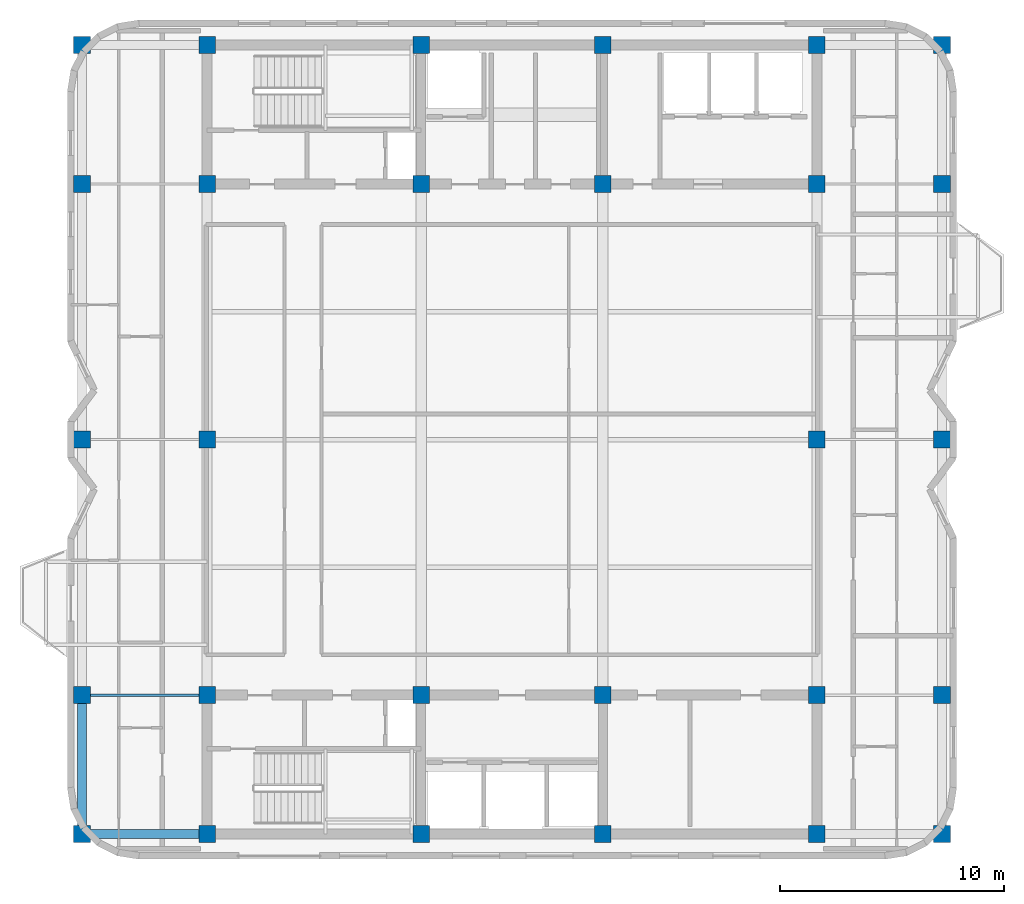
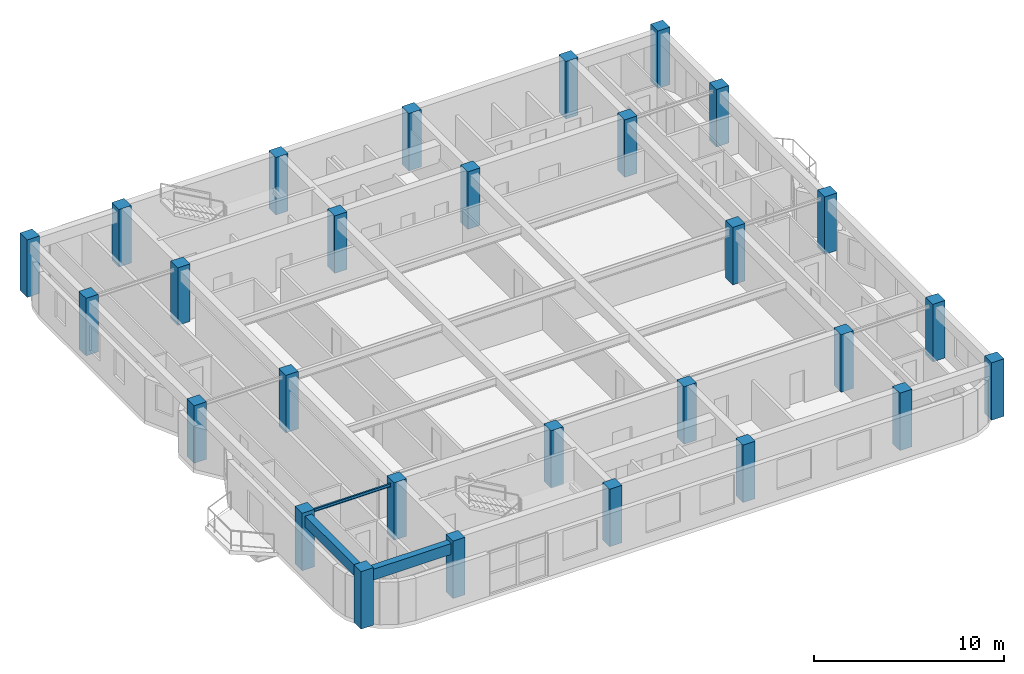
# One storey, part 1 of 11: 28 columns, 3 beams.
"""IFC4 building model written with IfcOpenShell, lengths in metres."""

from ifc_helpers import new_model, si_unit, direction, frame, origin, origin_2d, place, context, subcontext, project, spatial, rectangle, i_section, extrude, material, material_profile, profile_set, type_object, element, save


model = new_model("IFC4")

# Units and contexts
model_context = context("Model", 3, precision=1e-05, world=origin(), true_north=direction((0.0, 1.0)))
body_context = subcontext(model_context, "Body", "Model", "MODEL_VIEW")
ifc_project = project(units=[si_unit("LENGTHUNIT", "METRE"), si_unit("AREAUNIT", "SQUARE_METRE"), si_unit("VOLUMEUNIT", "CUBIC_METRE"), si_unit("PLANEANGLEUNIT", "RADIAN"), si_unit("MASSUNIT", "GRAM", prefix="KILO")], contexts=[model_context])

# Site, building, storey
site_placement = place(None, origin())
site = spatial("IfcSite", under=ifc_project, at=site_placement, CompositionType="ELEMENT")
building_placement = place(site_placement, origin())
building = spatial("IfcBuilding", under=site, at=building_placement, Name="Svetorya Sky Lyceum", CompositionType="ELEMENT")
storey_placement = place(building_placement, frame((0.0, 0.0, 275.0)))
storey = spatial("IfcBuildingStorey", under=building, at=storey_placement, Name="L69", CompositionType="ELEMENT", Elevation=275.0)

# Columns
ifc_material_1 = material(Name="Concrete C40/50", Category="concrete")
ifc_material_profile_1 = material_profile(ifc_material_1, rectangle(XDim=0.75, YDim=0.75, at=origin_2d()), Name="RC COL 750x750")
ifc_profile_set_1 = profile_set([ifc_material_profile_1], Name="Concrete C40/50")
column_type = type_object("IfcColumnType", Name="COL-RC-750", PredefinedType="COLUMN", material=ifc_profile_set_1)
for number, where, z_axis, x_axis, name in (
    (1, (25.60009765625, 10.60009765625, 0.0), (0.0, 0.0, 1.0), (1.0, 0.0, 0.0), "L69 Core Column CS-11"),
    (2, (25.60009765625, 16.800048828125, 0.0), (0.0, 0.0, 1.0), (1.0, 0.0, 0.0), "L69 Core Column CS-12"),
    (3, (35.14990234375, 10.60009765625, 0.0), (0.0, 0.0, 1.0), (1.0, 0.0, 0.0), "L69 Core Column CS-21"),
    (4, (35.14990234375, 16.800048828125, 0.0), (0.0, 0.0, 1.0), (1.0, 0.0, 0.0), "L69 Core Column CS-22"),
    (5, (43.25, 10.60009765625, 0.0), (0.0, 0.0, 1.0), (1.0, 0.0, 0.0), "L69 Core Column CS-31"),
    (6, (43.25, 16.800048828125, 0.0), (0.0, 0.0, 1.0), (1.0, 0.0, 0.0), "L69 Core Column CS-32"),
    (7, (52.800048828125, 10.60009765625, 0.0), (0.0, 0.0, 1.0), (1.0, 0.0, 0.0), "L69 Core Column CS-41"),
    (8, (52.800048828125, 16.800048828125, 0.0), (0.0, 0.0, 1.0), (1.0, 0.0, 0.0), "L69 Core Column CS-42"),
    (9, (25.60009765625, 39.60009765625, 0.0), (0.0, 0.0, 1.0), (1.0, 0.0, 0.0), "L69 Core Column CN-11"),
    (10, (25.60009765625, 45.800048828125, 0.0), (0.0, 0.0, 1.0), (1.0, 0.0, 0.0), "L69 Core Column CN-12"),
    (11, (35.14990234375, 39.60009765625, 0.0), (0.0, 0.0, 1.0), (1.0, 0.0, 0.0), "L69 Core Column CN-21"),
    (12, (35.14990234375, 45.800048828125, 0.0), (0.0, 0.0, 1.0), (1.0, 0.0, 0.0), "L69 Core Column CN-22"),
    (13, (43.25, 39.60009765625, 0.0), (0.0, 0.0, 1.0), (1.0, 0.0, 0.0), "L69 Core Column CN-31"),
    (14, (43.25, 45.800048828125, 0.0), (0.0, 0.0, 1.0), (1.0, 0.0, 0.0), "L69 Core Column CN-32"),
    (15, (52.800048828125, 39.60009765625, 0.0), (0.0, 0.0, 1.0), (1.0, 0.0, 0.0), "L69 Core Column CN-41"),
    (16, (52.800048828125, 45.800048828125, 0.0), (0.0, 0.0, 1.0), (1.0, 0.0, 0.0), "L69 Core Column CN-42"),
    (17, (25.60009765625, 28.199951171875, 0.0), (0.0, 0.0, 1.0), (1.0, 0.0, 0.0), "L69 Core Column CM-W"),
    (18, (52.800048828125, 28.199951171875, 0.0), (0.0, 0.0, 1.0), (1.0, 0.0, 0.0), "L69 Core Column CM-E"),
    (19, (20.010009765625, 10.60009765625, 0.0), (0.0, 0.0, 1.0), (1.0, 0.0, 0.0), "L69 Perimeter Column W1"),
    (20, (58.389892578125, 10.60009765625, 0.0), (0.0, 0.0, 1.0), (1.0, 0.0, 0.0), "L69 Perimeter Column E1"),
    (21, (20.010009765625, 16.800048828125, 0.0), (0.0, 0.0, 1.0), (1.0, 0.0, 0.0), "L69 Perimeter Column W2"),
    (22, (58.389892578125, 16.800048828125, 0.0), (0.0, 0.0, 1.0), (1.0, 0.0, 0.0), "L69 Perimeter Column E2"),
    (23, (20.010009765625, 28.199951171875, 0.0), (0.0, 0.0, 1.0), (1.0, 0.0, 0.0), "L69 Perimeter Column W3"),
    (24, (58.389892578125, 28.199951171875, 0.0), (0.0, 0.0, 1.0), (1.0, 0.0, 0.0), "L69 Perimeter Column E3"),
    (25, (20.010009765625, 39.60009765625, 0.0), (0.0, 0.0, 1.0), (1.0, 0.0, 0.0), "L69 Perimeter Column W4"),
    (26, (58.389892578125, 39.60009765625, 0.0), (0.0, 0.0, 1.0), (1.0, 0.0, 0.0), "L69 Perimeter Column E4"),
    (27, (20.010009765625, 45.800048828125, 0.0), (0.0, 0.0, 1.0), (1.0, 0.0, 0.0), "L69 Perimeter Column W5"),
    (28, (58.389892578125, 45.800048828125, 0.0), (0.0, 0.0, 1.0), (1.0, 0.0, 0.0), "L69 Perimeter Column E5"),
):
    element("IfcColumn", number, at=place(storey_placement, frame(where, z_axis=z_axis, x_axis=x_axis)), inside=storey, type_object=column_type, Name=name, PredefinedType="COLUMN", context=body_context, shape_type="SweptSolid", body=[
        extrude(rectangle(XDim=0.75, YDim=0.75, at=origin_2d()), origin(), (0.0, 0.0, 1.0), 3.699951171875),
    ])

# Beams
ifc_material_2 = material(Name="Concrete C50/60", Category="concrete")
ifc_material_profile_2 = material_profile(ifc_material_2, rectangle(XDim=0.39990234375, YDim=0.699951171875, at=origin_2d()), Name="RC SPANDREL 400x700")
ifc_profile_set_2 = profile_set([ifc_material_profile_2], Name="Concrete C50/60")
beam_type_1 = type_object("IfcBeamType", Name="BM-SPN-700", PredefinedType="SPANDREL", material=ifc_profile_set_2)
beam_1_placement = place(storey_placement, frame((20.010009765625, 10.60009765625, 3.10009765625), z_axis=(1.0, 0.0, 0.0), x_axis=(0.0, 1.0, 0.0)))
element("IfcBeam", 29, at=beam_1_placement, inside=storey, type_object=beam_type_1, Name="L69 Tie Spandrel SW", PredefinedType="SPANDREL", context=body_context, shape_type="SweptSolid", body=[
    extrude(rectangle(XDim=0.39990234375, YDim=0.699951171875, at=origin_2d()), origin(), (0.0, 0.0, 1.0), 5.590087890625),
])
beam_2_placement = place(storey_placement, frame((20.010009765625, 10.60009765625, 3.10009765625), z_axis=(0.0, 1.0, 0.0), x_axis=(-1.0, 0.0, 0.0)))
element("IfcBeam", 30, at=beam_2_placement, inside=storey, type_object=beam_type_1, Name="L69 West Spandrel 1", PredefinedType="SPANDREL", context=body_context, shape_type="SweptSolid", body=[
    extrude(rectangle(XDim=0.39990234375, YDim=0.699951171875, at=origin_2d()), origin(), (0.0, 0.0, 1.0), 6.199951171875),
])
ifc_material_3 = material(Name="Steel S355", Category="steel")
ifc_material_profile_3 = material_profile(ifc_material_3, i_section(OverallWidth=0.10009765625, OverallDepth=0.199951171875, WebThickness=0.005615234375, FlangeThickness=0.008544921875, at=origin_2d()), Name="GOST 20B1")
ifc_profile_set_3 = profile_set([ifc_material_profile_3], Name="Steel S355")
beam_type_2 = type_object("IfcBeamType", Name="BM-STL-20B1", PredefinedType="JOIST", material=ifc_profile_set_3)
beam_3_placement = place(storey_placement, frame((20.010009765625, 16.800048828125, 3.35009765625), z_axis=(1.0, 0.0, 0.0), x_axis=(0.0, 1.0, 0.0)))
element("IfcBeam", 31, at=beam_3_placement, inside=storey, type_object=beam_type_2, Name="L69 West Wing Floor Joist W2", PredefinedType="JOIST", context=body_context, shape_type="SweptSolid", body=[
    extrude(i_section(OverallWidth=0.10009765625, OverallDepth=0.199951171875, WebThickness=0.005615234375, FlangeThickness=0.008544921875, at=origin_2d()), origin(), (0.0, 0.0, 1.0), 5.590087890625),
])

save(model, "model.ifc")
